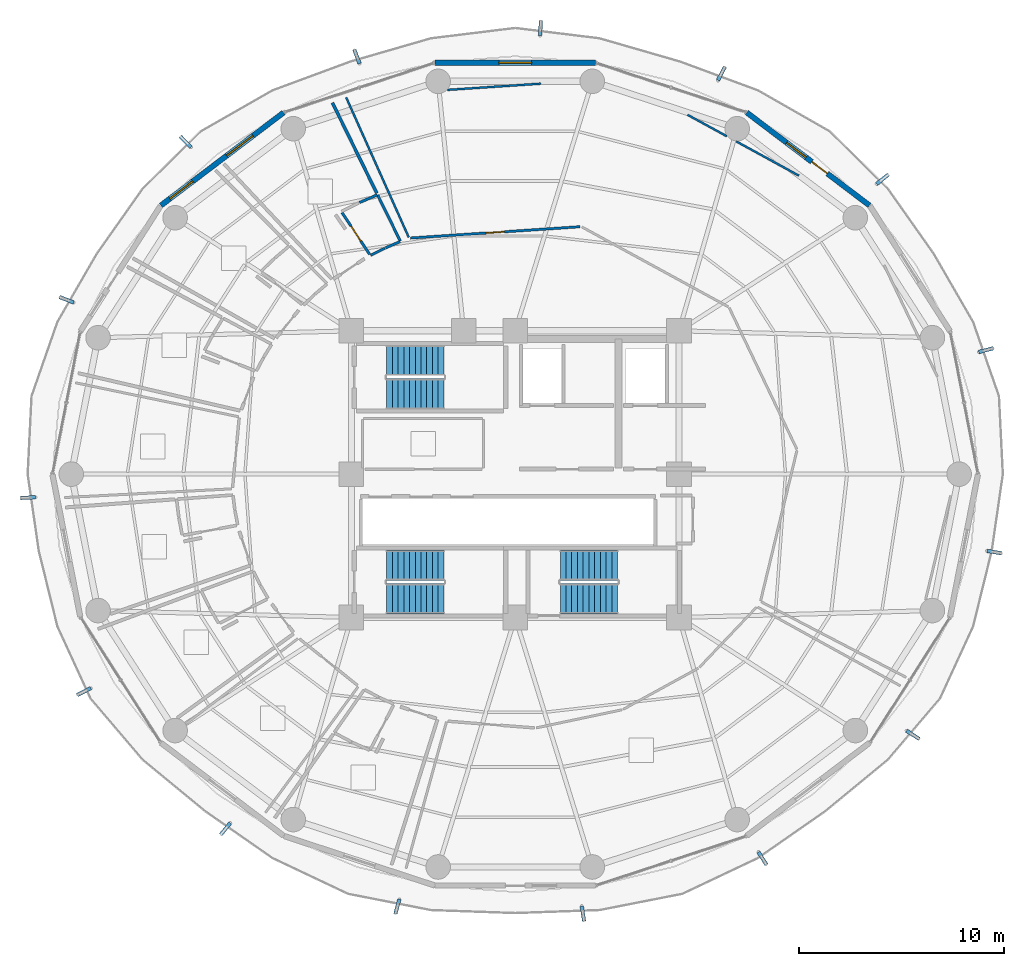
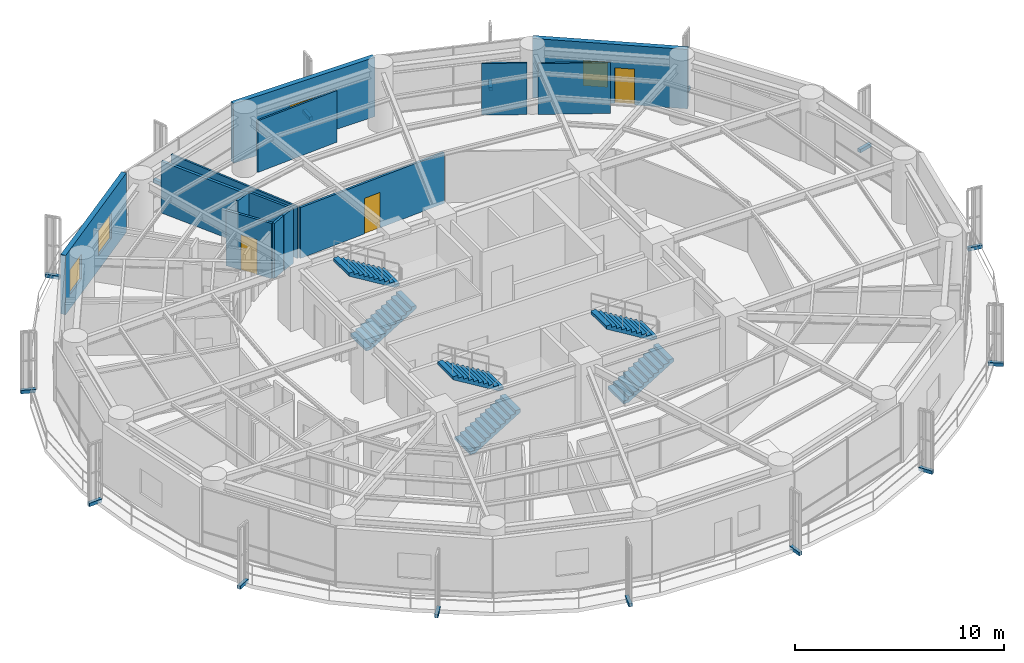
# One storey, part 24 of 27: 15 discrete accessories, 14 walls, 6 stair flights, 4 windows, 3 doors, 7 openings, 3 elements without a shape of their own.
"""IFC4 building model written with IfcOpenShell, lengths in metres."""

from ifc_helpers import new_model, si_unit, direction, frame, frame_2d, origin, origin_2d, place, context, subcontext, project, spatial, polyline, rectangle, outline, extrude, source, transform, mapped, material, layer, layer_set, type_object, element, fill, aggregate, save


model = new_model("IFC4")

# Units and contexts
model_context = context("Model", 3, precision=1e-05, world=origin(), true_north=direction((0.0, 1.0)))
body_context = subcontext(model_context, "Body", "Model", "MODEL_VIEW")
ifc_project = project(units=[si_unit("LENGTHUNIT", "METRE"), si_unit("AREAUNIT", "SQUARE_METRE"), si_unit("VOLUMEUNIT", "CUBIC_METRE"), si_unit("PLANEANGLEUNIT", "RADIAN"), si_unit("MASSUNIT", "GRAM", prefix="KILO")], contexts=[model_context])

# Site, building, storey
site_placement = place(None, origin())
site = spatial("IfcSite", under=ifc_project, at=site_placement, CompositionType="ELEMENT")
building_placement = place(site_placement, origin())
building = spatial("IfcBuilding", under=site, at=building_placement, Name="Kelanora Arch Commons", CompositionType="ELEMENT")
storey_placement = place(building_placement, frame((0.0, 0.0, 143.10009765625)))
storey = spatial("IfcBuildingStorey", under=building, at=storey_placement, Name="L36", CompositionType="ELEMENT", Elevation=143.10009765625)

# Wall
ifc_material_1 = material(Name="Autoclaved aerated concrete blockwork with fire plaster", Category="masonry")
ifc_layer_1 = layer(ifc_material_1, 0.14990234375)
ifc_layer_set_1 = layer_set([ifc_layer_1], Name="Autoclaved aerated concrete blockwork with fire plaster")
wall_type_1 = type_object("IfcWallType", Name="W-COMP-150", PredefinedType="PARTITIONING", material=ifc_layer_set_1)
wall_1_placement = place(storey_placement, frame((65.071533203125, 76.13916015625, 0.0), z_axis=(0.0, 0.0, 1.0), x_axis=(0.440581721025, -0.897712508044, 0.0)))
element("IfcWall", 1, at=wall_1_placement, inside=storey, type_object=wall_type_1, Name="Cluster Bedroom L36-01 Enclosure Partition 5", PredefinedType="PARTITIONING", context=body_context, shape_type="SweptSolid", body=[
    extrude(rectangle(XDim=4.92724609375, YDim=0.14990234375, at=frame_2d((2.463623046875, 0.0))), origin(), (0.0, 0.0, 1.0), 3.02490234375),
])

# Wall, openings, door, window
ifc_material_2 = material(Name="Precast concrete C40/50 with terracotta rainscreen", Category="masonry")
ifc_layer_2 = layer(ifc_material_2, 0.260009765625)
ifc_layer_set_2 = layer_set([ifc_layer_2], Name="Precast concrete C40/50 with terracotta rainscreen")
wall_type_2 = type_object("IfcWallType", Name="W-EXT-TC", PredefinedType="SOLIDWALL", material=ifc_layer_set_2)
wall_2_placement = place(storey_placement, frame((91.300537109375, 71.1220703125, 0.0), z_axis=(0.0, 0.0, 1.0), x_axis=(-0.797163719609, 0.603763202042, 0.0)))
wall_2 = element("IfcWall", 2, at=wall_2_placement, inside=storey, type_object=wall_type_2, Name="Terracotta Exterior Wall L36-B02", PredefinedType="SOLIDWALL", context=body_context, shape_type="SweptSolid", body=[
    extrude(rectangle(XDim=7.51220703125, YDim=0.260009765625, at=frame_2d((3.756103515625, 0.0))), origin(), (0.0, 0.0, 1.0), 3.474853515625),
])
opening_1_placement = place(wall_2_placement, frame((2.5810546875, 0.0, 0.0)))
opening_1 = element("IfcOpeningElement", 3, at=opening_1_placement, cuts=wall_2, Name="Opening DB-01", PredefinedType="OPENING", context=body_context, shape_type="SweptSolid", body=[
    extrude(rectangle(XDim=0.949951171875, YDim=2.10009765625, at=frame_2d((0.47509765625, 1.050048828125))), frame((0.0, 0.14013671875, 0.0), z_axis=(0.0, -1.0, 0.0), x_axis=(1.0, 0.0, 0.0)), (0.0, 0.0, 1.0), 0.280029296875),
])
opening_2_placement = place(wall_2_placement, frame((3.881103515625, 0.0, 0.85009765625)))
opening_2 = element("IfcOpeningElement", 4, at=opening_2_placement, cuts=wall_2, Name="Opening WN-02", PredefinedType="OPENING", context=body_context, shape_type="SweptSolid", body=[
    extrude(rectangle(XDim=1.199951171875, YDim=1.449951171875, at=frame_2d((0.60009765625, 0.72509765625))), frame((0.0, 0.14013671875, 0.0), z_axis=(0.0, -1.0, 0.0), x_axis=(1.0, 0.0, 0.0)), (0.0, 0.0, 1.0), 0.280029296875),
])
ifc_material_3 = material(Name="Terracotta-aluminium thermally broken glazed balcony door", Category="masonry")
door_type_1 = type_object("IfcDoorType", Name="D-BAL-10", OperationType="NOTDEFINED", PredefinedType="DOOR", material=ifc_material_3)
door_1_placement = place(opening_1_placement, frame((0.949951171875, 0.0, 0.0), z_axis=(0.0, 0.0, 1.0), x_axis=(-1.0, 0.0, 0.0)))
door_1 = element("IfcDoor", 5, at=door_1_placement, inside=storey, type_object=door_type_1, Name="Wave Balcony Door L36-B02", OperationType="SINGLE_SWING_LEFT", OverallHeight=2.10009765625, OverallWidth=0.949951171875, PredefinedType="DOOR", context=body_context, shape_type="SweptSolid", body=[
    extrude(rectangle(XDim=0.949951171875, YDim=2.10009765625, at=frame_2d((0.47509765625, 1.050048828125))), frame((0.0, 0.02490234375, 0.0), z_axis=(0.0, -1.0, 0.0), x_axis=(1.0, 0.0, 0.0)), (0.0, 0.0, 1.0), 0.050048828125),
])
fill(opening_1, door_1)
ifc_material_4 = material(Name="Terracotta-anodised aluminium frame with operable awning sash", Category="masonry")
window_type_1 = type_object("IfcWindowType", Name="WIN-CL-12", PartitioningType="SINGLE_PANEL", PredefinedType="WINDOW", material=ifc_material_4)
window_1_placement = place(opening_2_placement, origin())
window_1 = element("IfcWindow", 6, at=window_1_placement, inside=storey, type_object=window_type_1, Name="Co-Living Operable Window L36-B02", OverallHeight=1.449951171875, OverallWidth=1.199951171875, PartitioningType="SINGLE_PANEL", PredefinedType="WINDOW", context=body_context, shape_type="SweptSolid", body=[
    extrude(rectangle(XDim=1.199951171875, YDim=1.449951171875, at=frame_2d((0.60009765625, 0.72509765625))), frame((0.0, 0.030029296875, 0.0), z_axis=(0.0, -1.0, 0.0), x_axis=(1.0, 0.0, 0.0)), (0.0, 0.0, 1.0), 0.06005859375),
])
fill(opening_2, window_1)

# Wall, opening, window
wall_3_placement = place(storey_placement, frame((77.909423828125, 78.090087890625, 0.0), z_axis=(0.0, 0.0, 1.0), x_axis=(-1.0, 0.0, 0.0)))
wall_3 = element("IfcWall", 7, at=wall_3_placement, inside=storey, type_object=wall_type_2, Name="Terracotta Exterior Wall L36-B04", PredefinedType="SOLIDWALL", context=body_context, shape_type="SweptSolid", body=[
    extrude(rectangle(XDim=7.81884765625, YDim=0.260009765625, at=frame_2d((3.909423828125, 0.0))), origin(), (0.0, 0.0, 1.0), 3.474853515625),
])
opening_3_placement = place(wall_3_placement, frame((3.10888671875, 0.0, 0.85009765625)))
opening_3 = element("IfcOpeningElement", 8, at=opening_3_placement, cuts=wall_3, Name="Opening WN-01", PredefinedType="OPENING", context=body_context, shape_type="SweptSolid", body=[
    extrude(rectangle(XDim=1.60009765625, YDim=1.449951171875, at=frame_2d((0.800048828125, 0.72509765625))), frame((0.0, 0.14013671875, 0.0), z_axis=(0.0, -1.0, 0.0), x_axis=(1.0, 0.0, 0.0)), (0.0, 0.0, 1.0), 0.280029296875),
])
ifc_material_5 = material(Name="Terracotta-anodised aluminium frame with operable low-E glazing", Category="masonry")
window_type_2 = type_object("IfcWindowType", Name="WIN-CL-18", PartitioningType="DOUBLE_PANEL_VERTICAL", PredefinedType="WINDOW", material=ifc_material_5)
window_2_placement = place(opening_3_placement, origin())
window_2 = element("IfcWindow", 9, at=window_2_placement, inside=storey, type_object=window_type_2, Name="Co-Living Operable Window L36-B04", OverallHeight=1.449951171875, OverallWidth=1.60009765625, PartitioningType="SINGLE_PANEL", PredefinedType="WINDOW", context=body_context, shape_type="SweptSolid", body=[
    extrude(rectangle(XDim=1.60009765625, YDim=1.449951171875, at=frame_2d((0.800048828125, 0.72509765625))), frame((0.0, 0.030029296875, 0.0), z_axis=(0.0, -1.0, 0.0), x_axis=(1.0, 0.0, 0.0)), (0.0, 0.0, 1.0), 0.06005859375),
])
fill(opening_3, window_2)

# Wall, openings, windows
wall_4_placement = place(storey_placement, frame((62.68798828125, 75.65771484375, 0.0), z_axis=(0.0, 0.0, 1.0), x_axis=(-0.797163719609, -0.603763202042, 0.0)))
wall_4 = element("IfcWall", 10, at=wall_4_placement, inside=storey, type_object=wall_type_2, Name="Terracotta Exterior Wall L36-B06", PredefinedType="SOLIDWALL", context=body_context, shape_type="SweptSolid", body=[
    extrude(rectangle(XDim=7.51220703125, YDim=0.260009765625, at=frame_2d((3.756103515625, 0.0))), origin(), (0.0, 0.0, 1.0), 3.474853515625),
])
opening_4_placement = place(wall_4_placement, frame((1.8759765625, 0.0, 0.85009765625)))
opening_4 = element("IfcOpeningElement", 11, at=opening_4_placement, cuts=wall_4, Name="Opening WN-01", PredefinedType="OPENING", context=body_context, shape_type="SweptSolid", body=[
    extrude(rectangle(XDim=1.60009765625, YDim=1.449951171875, at=frame_2d((0.800048828125, 0.72509765625))), frame((0.0, 0.14013671875, 0.0), z_axis=(0.0, -1.0, 0.0), x_axis=(1.0, 0.0, 0.0)), (0.0, 0.0, 1.0), 0.280029296875),
])
opening_5_placement = place(wall_4_placement, frame((5.55810546875, 0.0, 0.85009765625)))
opening_5 = element("IfcOpeningElement", 12, at=opening_5_placement, cuts=wall_4, Name="Opening WN-04", PredefinedType="OPENING", context=body_context, shape_type="SweptSolid", body=[
    extrude(rectangle(XDim=1.39990234375, YDim=1.449951171875, at=frame_2d((0.699951171875, 0.72509765625))), frame((0.0, 0.14013671875, 0.0), z_axis=(0.0, -1.0, 0.0), x_axis=(1.0, 0.0, 0.0)), (0.0, 0.0, 1.0), 0.280029296875),
])
window_type_3 = type_object("IfcWindowType", Name="WIN-CL-14", PartitioningType="DOUBLE_PANEL_VERTICAL", PredefinedType="WINDOW", material=ifc_material_5)
window_3_placement = place(opening_5_placement, origin())
window_3 = element("IfcWindow", 13, at=window_3_placement, inside=storey, type_object=window_type_3, Name="Co-Living Operable Window L36-B06-X2", OverallHeight=1.449951171875, OverallWidth=1.39990234375, PartitioningType="SINGLE_PANEL", PredefinedType="WINDOW", context=body_context, shape_type="SweptSolid", body=[
    extrude(rectangle(XDim=1.39990234375, YDim=1.449951171875, at=frame_2d((0.699951171875, 0.72509765625))), frame((0.0, 0.030029296875, 0.0), z_axis=(0.0, -1.0, 0.0), x_axis=(1.0, 0.0, 0.0)), (0.0, 0.0, 1.0), 0.06005859375),
])
fill(opening_5, window_3)
window_4_placement = place(opening_4_placement, origin())
window_4 = element("IfcWindow", 14, at=window_4_placement, inside=storey, type_object=window_type_2, Name="Co-Living Operable Window L36-B06", OverallHeight=1.449951171875, OverallWidth=1.60009765625, PartitioningType="SINGLE_PANEL", PredefinedType="WINDOW", context=body_context, shape_type="SweptSolid", body=[
    extrude(rectangle(XDim=1.60009765625, YDim=1.449951171875, at=frame_2d((0.800048828125, 0.72509765625))), frame((0.0, 0.030029296875, 0.0), z_axis=(0.0, -1.0, 0.0), x_axis=(1.0, 0.0, 0.0)), (0.0, 0.0, 1.0), 0.06005859375),
])
fill(opening_4, window_4)

# Walls
ifc_material_6 = material(Name="Lightweight fire-rated acoustic stud partition")
ifc_layer_3 = layer(ifc_material_6, 0.10009765625)
ifc_layer_set_3 = layer_set([ifc_layer_3], Name="Lightweight fire-rated acoustic stud partition")
wall_type_3 = type_object("IfcWallType", Name="W-PART-100", PredefinedType="PARTITIONING", material=ifc_layer_set_3)
wall_5_placement = place(storey_placement, frame((68.802734375, 69.5615234375, 0.0), z_axis=(0.0, 0.0, 1.0), x_axis=(-0.408373210504, 0.912815052978, 0.0)))
element("IfcWall", 15, at=wall_5_placement, inside=storey, type_object=wall_type_3, Name="North-East Quiet Study Commons L36 Enclosure Partition 5", PredefinedType="PARTITIONING", context=body_context, shape_type="SweptSolid", body=[
    extrude(rectangle(XDim=7.48681640625, YDim=0.10009765625, at=frame_2d((3.743408203125, 0.0))), origin(), (0.0, 0.0, 1.0), 3.02490234375),
])
wall_6_placement = place(storey_placement, frame((70.69873046875, 76.764892578125, 0.0), z_axis=(0.0, 0.0, 1.0), x_axis=(0.997765691497, 0.066810365006, 0.0)))
element("IfcWall", 16, at=wall_6_placement, inside=storey, type_object=wall_type_3, Name="North-East Quiet Study Commons L36 Enclosure Partition 6", PredefinedType="PARTITIONING", context=body_context, shape_type="SweptSolid", body=[
    extrude(rectangle(XDim=4.560546875, YDim=0.10009765625, at=frame_2d((2.2802734375, 0.0))), origin(), (0.0, 0.0, 1.0), 3.02490234375),
])
wall_7_placement = place(storey_placement, frame((82.41845703125, 75.54736328125, 0.0), z_axis=(0.0, 0.0, 1.0), x_axis=(0.877506976323, -0.479563871142, 0.0)))
element("IfcWall", 17, at=wall_7_placement, inside=storey, type_object=wall_type_3, Name="North-East Quiet Study Commons L36 Enclosure Partition 7", PredefinedType="PARTITIONING", context=body_context, shape_type="SweptSolid", body=[
    extrude(rectangle(XDim=2.1865234375, YDim=0.10009765625, at=frame_2d((1.09326171875, 0.0))), origin(), (0.0, 0.0, 1.0), 3.02490234375),
])
wall_8_placement = place(storey_placement, frame((84.799072265625, 74.24658203125, 0.0), z_axis=(0.0, 0.0, 1.0), x_axis=(0.877555375774, -0.479475299104, 0.0)))
element("IfcWall", 18, at=wall_8_placement, inside=storey, type_object=wall_type_3, Name="North-East Quiet Study Commons L36 Enclosure Partition 7", PredefinedType="PARTITIONING", context=body_context, shape_type="SweptSolid", body=[
    extrude(rectangle(XDim=3.4853515625, YDim=0.10009765625, at=frame_2d((1.74267578125, 0.0))), origin(), (0.0, 0.0, 1.0), 2.974853515625),
])

# Wall, opening, door
ifc_material_7 = material(Name="Acoustic twin-stud fire-rated gypsum partition")
ifc_layer_4 = layer(ifc_material_7, 0.1201171875)
ifc_layer_set_4 = layer_set([ifc_layer_4], Name="Acoustic twin-stud fire-rated gypsum partition")
wall_type_4 = type_object("IfcWallType", Name="W-PART-120", PredefinedType="PARTITIONING", material=ifc_layer_set_4)
wall_9_placement = place(storey_placement, frame((77.169189453125, 70.0830078125, 0.0), z_axis=(0.0, 0.0, 1.0), x_axis=(-0.997775005058, -0.066671127793, 0.0)))
wall_9 = element("IfcWall", 19, at=wall_9_placement, inside=storey, type_object=wall_type_4, Name="North-East Quiet Study Commons L36 Entry Partition", PredefinedType="PARTITIONING", context=body_context, shape_type="SweptSolid", body=[
    extrude(rectangle(XDim=8.308837890625, YDim=0.1201171875, at=frame_2d((4.154296875, 0.0))), origin(), (0.0, 0.0, 1.0), 2.974853515625),
])
opening_6_placement = place(wall_9_placement, frame((3.7041015625, 0.0, 0.0)))
opening_6 = element("IfcOpeningElement", 20, at=opening_6_placement, cuts=wall_9, Name="Opening D-RM1", PredefinedType="OPENING", context=body_context, shape_type="SweptSolid", body=[
    extrude(rectangle(XDim=0.89990234375, YDim=2.080078125, at=frame_2d((0.449951171875, 1.0400390625))), frame((0.0, 0.070068359375, 0.0), z_axis=(0.0, -1.0, 0.0), x_axis=(1.0, 0.0, 0.0)), (0.0, 0.0, 1.0), 0.14013671875),
])
ifc_material_8 = material(Name="Acoustic fire-rated timber study and lounge door", Category="wood")
door_type_2 = type_object("IfcDoorType", Name="D-ROOM-90", OperationType="NOTDEFINED", PredefinedType="DOOR", material=ifc_material_8)
door_2_placement = place(opening_6_placement, origin())
door_2 = element("IfcDoor", 21, at=door_2_placement, inside=storey, type_object=door_type_2, Name="North-East Quiet Study Commons L36 Door", OperationType="SINGLE_SWING_LEFT", OverallHeight=2.080078125, OverallWidth=0.89990234375, PredefinedType="DOOR", context=body_context, shape_type="SweptSolid", body=[
    extrude(rectangle(XDim=0.89990234375, YDim=2.080078125, at=frame_2d((0.449951171875, 1.0400390625))), frame((0.0, 0.02490234375, 0.0), z_axis=(0.0, -1.0, 0.0), x_axis=(1.0, 0.0, 0.0)), (0.0, 0.0, 1.0), 0.050048828125),
])
fill(opening_6, door_2)

ifc_material_9 = material(Name="Moisture-resistant fire-rated cement-board plumbing wall")
ifc_layer_5 = layer(ifc_material_9, 0.1298828125)
ifc_layer_set_5 = layer_set([ifc_layer_5], Name="Moisture-resistant fire-rated cement-board plumbing wall")
wall_type_5 = type_object("IfcWallType", Name="W-WET-120", PredefinedType="PLUMBINGWALL", material=ifc_layer_set_5)
wall_10_placement = place(storey_placement, frame((66.890869140625, 68.72998046875, 0.0), z_axis=(0.0, 0.0, 1.0), x_axis=(-0.550825526042, 0.834620416633, 0.0)))
wall_10 = element("IfcWall", 22, at=wall_10_placement, inside=storey, type_object=wall_type_5, Name="En-Suite Shower WC L36-01 Entry Partition", PredefinedType="PLUMBINGWALL", context=body_context, shape_type="SweptSolid", body=[
    extrude(rectangle(XDim=2.446533203125, YDim=0.1298828125, at=frame_2d((1.22314453125, 0.0))), origin(), (0.0, 0.0, 1.0), 3.23486328125),
])
opening_7_placement = place(wall_10_placement, frame((0.79296875, 0.0, 0.0)))
opening_7 = element("IfcOpeningElement", 23, at=opening_7_placement, cuts=wall_10, Name="Opening D-BT1", PredefinedType="OPENING", context=body_context, shape_type="SweptSolid", body=[
    extrude(rectangle(XDim=0.860107421875, YDim=2.050048828125, at=frame_2d((0.43017578125, 1.02490234375))), frame((0.0, 0.074951171875, 0.0), z_axis=(0.0, -1.0, 0.0), x_axis=(1.0, 0.0, 0.0)), (0.0, 0.0, 1.0), 0.14990234375),
])
ifc_material_10 = material(Name="Moisture-sealed fire-rated accessible bathroom door")
door_type_3 = type_object("IfcDoorType", Name="D-BATH-85", OperationType="NOTDEFINED", PredefinedType="DOOR", material=ifc_material_10)
door_3_placement = place(opening_7_placement, origin())
door_3 = element("IfcDoor", 24, at=door_3_placement, inside=storey, type_object=door_type_3, Name="En-Suite Shower WC L36-01 Door", OperationType="SINGLE_SWING_RIGHT", OverallHeight=2.050048828125, OverallWidth=0.860107421875, PredefinedType="DOOR", context=body_context, shape_type="SweptSolid", body=[
    extrude(rectangle(XDim=0.860107421875, YDim=2.050048828125, at=frame_2d((0.43017578125, 1.02490234375))), frame((0.0, 0.02490234375, 0.0), z_axis=(0.0, -1.0, 0.0), x_axis=(1.0, 0.0, 0.0)), (0.0, 0.0, 1.0), 0.050048828125),
])
fill(opening_7, door_3)

# Walls
wall_11_placement = place(storey_placement, frame((68.378662109375, 69.356201171875, 0.0), z_axis=(0.0, 0.0, 1.0), x_axis=(-0.918393228723, -0.395668898746, 0.0)))
element("IfcWall", 25, at=wall_11_placement, inside=storey, type_object=wall_type_5, Name="En-Suite Shower WC L36-01 Enclosure Partition 1", PredefinedType="PLUMBINGWALL", context=body_context, shape_type="SweptSolid", body=[
    extrude(rectangle(XDim=0.7744140625, YDim=0.1298828125, at=frame_2d((0.38720703125, 0.0))), origin(), (0.0, 0.0, 1.0), 3.23486328125),
])
wall_12_placement = place(storey_placement, frame((67.631103515625, 69.033203125, 0.0), z_axis=(0.0, 0.0, 1.0), x_axis=(-0.894617251975, -0.446833271443, 0.0)))
element("IfcWall", 26, at=wall_12_placement, inside=storey, type_object=wall_type_5, Name="En-Suite Shower WC L36-01 Enclosure Partition 2", PredefinedType="PLUMBINGWALL", context=body_context, shape_type="SweptSolid", body=[
    extrude(rectangle(XDim=0.7705078125, YDim=0.1298828125, at=frame_2d((0.38525390625, 0.0))), origin(), (0.0, 0.0, 1.0), 3.23486328125),
])
wall_13_placement = place(storey_placement, frame((66.3974609375, 71.264892578125, 0.0), z_axis=(0.0, 0.0, 1.0), x_axis=(0.918726840833, 0.394893646357, 0.0)))
element("IfcWall", 27, at=wall_13_placement, inside=storey, type_object=wall_type_5, Name="En-Suite Shower WC L36-01 Enclosure Partition 5", PredefinedType="PLUMBINGWALL", context=body_context, shape_type="SweptSolid", body=[
    extrude(rectangle(XDim=0.937255859375, YDim=0.1298828125, at=frame_2d((0.46875, 0.0))), origin(), (0.0, 0.0, 1.0), 3.1748046875),
])
wall_14_placement = place(storey_placement, frame((67.285888671875, 71.625, 0.0), z_axis=(0.0, 0.0, 1.0), x_axis=(0.441029506653, -0.897492604015, 0.0)))
element("IfcWall", 28, at=wall_14_placement, inside=storey, type_object=wall_type_5, Name="En-Suite Shower WC L36-01 Enclosure Partition 6", PredefinedType="PLUMBINGWALL", context=body_context, shape_type="SweptSolid", body=[
    extrude(rectangle(XDim=2.499267578125, YDim=0.1298828125, at=frame_2d((1.24951171875, 0.0))), origin(), (0.0, 0.0, 1.0), 3.1748046875),
])

# Stair, stair flights
ifc_material_11 = material(Name="Concrete C40/50", Category="concrete")
stair_type = type_object("IfcStairType", Name="STR-DL-375", PredefinedType="HALF_TURN_STAIR", material=ifc_material_11)
stair_1_placement = place(storey_placement, origin())
stair_1 = element("IfcStair", 29, at=stair_1_placement, inside=storey, type_object=stair_type, Name="L36 ST-T1", PredefinedType="HALF_TURN_STAIR")
stair_flight_type = type_object("IfcStairFlightType", Name="FLT-DL-375", PredefinedType="STRAIGHT", material=ifc_material_11)
stair_flight_1_placement = place(storey_placement, frame((67.719970703125, 61.919921875, 0.0), z_axis=(0.0, 0.0, 1.0), x_axis=(1.0, 0.0, 0.0)))
stair_flight_1 = element("IfcStairFlight", 30, at=stair_flight_1_placement, type_object=stair_flight_type, Name="ST-T1 flight 1", NumberOfRisers=11, NumberOfTreads=10, PredefinedType="STRAIGHT", RiserHeight=0.170454545, TreadLength=0.28, context=body_context, shape_type="SweptSolid", body=[
    extrude(outline(polyline([(0.0, 0.0), (0.0, 0.17041015625), (0.280029296875, 0.17041015625), (0.280029296875, 0.3408203125), (0.56005859375, 0.3408203125), (0.56005859375, 0.511474609375), (0.840087890625, 0.511474609375), (0.840087890625, 0.681884765625), (1.1201171875, 0.681884765625), (1.1201171875, 0.852294921875), (1.39990234375, 0.852294921875), (1.39990234375, 1.022705078125), (1.679931640625, 1.022705078125), (1.679931640625, 1.193115234375), (1.9599609375, 1.193115234375), (1.9599609375, 1.363525390625), (2.239990234375, 1.363525390625), (2.239990234375, 1.5341796875), (2.52001953125, 1.5341796875), (2.52001953125, 1.70458984375), (2.800048828125, 1.70458984375), (2.800048828125, 1.875), (2.800048828125, 1.529052734375), (0.288330078125, 0.0), (0.0, 0.0)])), frame((0.0, 0.739990234375, 0.0), z_axis=(0.0, -1.0, 0.0), x_axis=(1.0, 0.0, 0.0)), (0.0, 0.0, 1.0), 1.47998046875),
])
stair_flight_2_placement = place(storey_placement, frame((70.52001953125, 63.550048828125, 1.875), z_axis=(0.0, 0.0, 1.0), x_axis=(-1.0, 0.0, 0.0)))
stair_flight_2 = element("IfcStairFlight", 31, at=stair_flight_2_placement, type_object=stair_flight_type, Name="ST-T1 flight 2", NumberOfRisers=11, NumberOfTreads=10, PredefinedType="STRAIGHT", RiserHeight=0.170454545, TreadLength=0.28, context=body_context, shape_type="SweptSolid", body=[
    extrude(outline(polyline([(0.0, 0.0), (0.0, 0.17041015625), (0.280029296875, 0.17041015625), (0.280029296875, 0.3408203125), (0.56005859375, 0.3408203125), (0.56005859375, 0.511474609375), (0.840087890625, 0.511474609375), (0.840087890625, 0.681884765625), (1.1201171875, 0.681884765625), (1.1201171875, 0.852294921875), (1.39990234375, 0.852294921875), (1.39990234375, 1.022705078125), (1.679931640625, 1.022705078125), (1.679931640625, 1.193115234375), (1.9599609375, 1.193115234375), (1.9599609375, 1.363525390625), (2.239990234375, 1.363525390625), (2.239990234375, 1.5341796875), (2.52001953125, 1.5341796875), (2.52001953125, 1.70458984375), (2.800048828125, 1.70458984375), (2.800048828125, 1.875), (2.800048828125, 1.529052734375), (0.288330078125, 0.0), (0.0, 0.0)])), frame((0.0, 0.739990234375, 0.0), z_axis=(0.0, -1.0, 0.0), x_axis=(1.0, 0.0, 0.0)), (0.0, 0.0, 1.0), 1.47998046875),
])
aggregate(stair_1, [stair_flight_1, stair_flight_2])

stair_2_placement = place(storey_placement, origin())
stair_2 = element("IfcStair", 32, at=stair_2_placement, inside=storey, type_object=stair_type, Name="L36 ST-T2", PredefinedType="HALF_TURN_STAIR")
stair_flight_3_placement = place(storey_placement, frame((76.199951171875, 51.919921875, 0.0), z_axis=(0.0, 0.0, 1.0), x_axis=(1.0, 0.0, 0.0)))
stair_flight_3 = element("IfcStairFlight", 33, at=stair_flight_3_placement, type_object=stair_flight_type, Name="ST-T2 flight 1", NumberOfRisers=11, NumberOfTreads=10, PredefinedType="STRAIGHT", RiserHeight=0.170454545, TreadLength=0.28, context=body_context, shape_type="SweptSolid", body=[
    extrude(outline(polyline([(0.0, 0.0), (0.0, 0.17041015625), (0.280029296875, 0.17041015625), (0.280029296875, 0.3408203125), (0.56005859375, 0.3408203125), (0.56005859375, 0.511474609375), (0.840087890625, 0.511474609375), (0.840087890625, 0.681884765625), (1.1201171875, 0.681884765625), (1.1201171875, 0.852294921875), (1.39990234375, 0.852294921875), (1.39990234375, 1.022705078125), (1.679931640625, 1.022705078125), (1.679931640625, 1.193115234375), (1.9599609375, 1.193115234375), (1.9599609375, 1.363525390625), (2.239990234375, 1.363525390625), (2.239990234375, 1.5341796875), (2.52001953125, 1.5341796875), (2.52001953125, 1.70458984375), (2.800048828125, 1.70458984375), (2.800048828125, 1.875), (2.800048828125, 1.529052734375), (0.288330078125, 0.0), (0.0, 0.0)])), frame((0.0, 0.739990234375, 0.0), z_axis=(0.0, -1.0, 0.0), x_axis=(1.0, 0.0, 0.0)), (0.0, 0.0, 1.0), 1.47998046875),
])
stair_flight_4_placement = place(storey_placement, frame((79.0, 53.550048828125, 1.875), z_axis=(0.0, 0.0, 1.0), x_axis=(-1.0, 0.0, 0.0)))
stair_flight_4 = element("IfcStairFlight", 34, at=stair_flight_4_placement, type_object=stair_flight_type, Name="ST-T2 flight 2", NumberOfRisers=11, NumberOfTreads=10, PredefinedType="STRAIGHT", RiserHeight=0.170454545, TreadLength=0.28, context=body_context, shape_type="SweptSolid", body=[
    extrude(outline(polyline([(0.0, 0.0), (0.0, 0.17041015625), (0.280029296875, 0.17041015625), (0.280029296875, 0.3408203125), (0.56005859375, 0.3408203125), (0.56005859375, 0.511474609375), (0.840087890625, 0.511474609375), (0.840087890625, 0.681884765625), (1.1201171875, 0.681884765625), (1.1201171875, 0.852294921875), (1.39990234375, 0.852294921875), (1.39990234375, 1.022705078125), (1.679931640625, 1.022705078125), (1.679931640625, 1.193115234375), (1.9599609375, 1.193115234375), (1.9599609375, 1.363525390625), (2.239990234375, 1.363525390625), (2.239990234375, 1.5341796875), (2.52001953125, 1.5341796875), (2.52001953125, 1.70458984375), (2.800048828125, 1.70458984375), (2.800048828125, 1.875), (2.800048828125, 1.529052734375), (0.288330078125, 0.0), (0.0, 0.0)])), frame((0.0, 0.739990234375, 0.0), z_axis=(0.0, -1.0, 0.0), x_axis=(1.0, 0.0, 0.0)), (0.0, 0.0, 1.0), 1.47998046875),
])
aggregate(stair_2, [stair_flight_3, stair_flight_4])

stair_3_placement = place(storey_placement, origin())
stair_3 = element("IfcStair", 35, at=stair_3_placement, inside=storey, type_object=stair_type, Name="L36 ST-T3", PredefinedType="HALF_TURN_STAIR")
stair_flight_5_placement = place(storey_placement, frame((67.719970703125, 51.919921875, 0.0), z_axis=(0.0, 0.0, 1.0), x_axis=(1.0, 0.0, 0.0)))
stair_flight_5 = element("IfcStairFlight", 36, at=stair_flight_5_placement, type_object=stair_flight_type, Name="ST-T3 flight 1", NumberOfRisers=11, NumberOfTreads=10, PredefinedType="STRAIGHT", RiserHeight=0.170454545, TreadLength=0.28, context=body_context, shape_type="SweptSolid", body=[
    extrude(outline(polyline([(0.0, 0.0), (0.0, 0.17041015625), (0.280029296875, 0.17041015625), (0.280029296875, 0.3408203125), (0.56005859375, 0.3408203125), (0.56005859375, 0.511474609375), (0.840087890625, 0.511474609375), (0.840087890625, 0.681884765625), (1.1201171875, 0.681884765625), (1.1201171875, 0.852294921875), (1.39990234375, 0.852294921875), (1.39990234375, 1.022705078125), (1.679931640625, 1.022705078125), (1.679931640625, 1.193115234375), (1.9599609375, 1.193115234375), (1.9599609375, 1.363525390625), (2.239990234375, 1.363525390625), (2.239990234375, 1.5341796875), (2.52001953125, 1.5341796875), (2.52001953125, 1.70458984375), (2.800048828125, 1.70458984375), (2.800048828125, 1.875), (2.800048828125, 1.529052734375), (0.288330078125, 0.0), (0.0, 0.0)])), frame((0.0, 0.739990234375, 0.0), z_axis=(0.0, -1.0, 0.0), x_axis=(1.0, 0.0, 0.0)), (0.0, 0.0, 1.0), 1.47998046875),
])
stair_flight_6_placement = place(storey_placement, frame((70.52001953125, 53.550048828125, 1.875), z_axis=(0.0, 0.0, 1.0), x_axis=(-1.0, 0.0, 0.0)))
stair_flight_6 = element("IfcStairFlight", 37, at=stair_flight_6_placement, type_object=stair_flight_type, Name="ST-T3 flight 2", NumberOfRisers=11, NumberOfTreads=10, PredefinedType="STRAIGHT", RiserHeight=0.170454545, TreadLength=0.28, context=body_context, shape_type="SweptSolid", body=[
    extrude(outline(polyline([(0.0, 0.0), (0.0, 0.17041015625), (0.280029296875, 0.17041015625), (0.280029296875, 0.3408203125), (0.56005859375, 0.3408203125), (0.56005859375, 0.511474609375), (0.840087890625, 0.511474609375), (0.840087890625, 0.681884765625), (1.1201171875, 0.681884765625), (1.1201171875, 0.852294921875), (1.39990234375, 0.852294921875), (1.39990234375, 1.022705078125), (1.679931640625, 1.022705078125), (1.679931640625, 1.193115234375), (1.9599609375, 1.193115234375), (1.9599609375, 1.363525390625), (2.239990234375, 1.363525390625), (2.239990234375, 1.5341796875), (2.52001953125, 1.5341796875), (2.52001953125, 1.70458984375), (2.800048828125, 1.70458984375), (2.800048828125, 1.875), (2.800048828125, 1.529052734375), (0.288330078125, 0.0), (0.0, 0.0)])), frame((0.0, 0.739990234375, 0.0), z_axis=(0.0, -1.0, 0.0), x_axis=(1.0, 0.0, 0.0)), (0.0, 0.0, 1.0), 1.47998046875),
])
aggregate(stair_3, [stair_flight_5, stair_flight_6])

# Discrete accessories
ifc_material_12 = material(Name="Stainless steel 316 marine fin bracket", Category="steel")
discrete_accessory_type = type_object("IfcDiscreteAccessoryType", Name="ACC-FIN-BRK", PredefinedType="BRACKET", material=ifc_material_12)
shared_shape = source(origin(), body_context, "Body", "SweptSolid", [
    extrude(rectangle(XDim=0.735107421875, YDim=0.179931640625, at=origin_2d()), origin(), (0.0, 0.0, 1.0), 0.199951171875),
])
for number, where, z_axis, x_axis, name in (
    (38, (96.992919921875, 64.056884765625, -0.16015625), (0.0, 0.0, 1.0), (0.967001487762, 0.254770725683, 0.0), "Sweeping Fin Cantilever Spine Bracket L36-00"),
    (39, (91.937744140625, 72.400634765625, -0.16015625), (0.0, 0.0, 1.0), (0.779775226961, 0.62605957817, 0.0), "Sweeping Fin Cantilever Spine Bracket L36-01"),
    (40, (84.069580078125, 77.557861328125, -0.16015625), (0.0, 0.0, 1.0), (0.457718745382, 0.889097042019, 0.0), "Sweeping Fin Cantilever Spine Bracket L36-02"),
    (41, (75.234130859375, 79.786376953125, -0.16015625), (0.0, 0.0, 1.0), (0.056518534482, 0.998401550109, 0.0), "Sweeping Fin Cantilever Spine Bracket L36-03"),
    (42, (66.270263671875, 78.39404296875, -0.16015625), (0.0, 0.0, 1.0), (-0.354454244484, 0.935073359992, 0.0), "Sweeping Fin Cantilever Spine Bracket L36-04"),
    (43, (57.909912109375, 74.226806640625, -0.16015625), (0.0, 0.0, 1.0), (-0.704138664464, 0.710062491058, 0.0), "Sweeping Fin Cantilever Spine Bracket L36-05"),
    (44, (52.097900390625, 66.513671875, -0.16015625), (0.0, 0.0, 1.0), (-0.932071112458, 0.362275366705, 0.0), "Sweeping Fin Cantilever Spine Bracket L36-06"),
    (45, (50.208251953125, 56.85400390625, -0.16015625), (0.0, 0.0, 1.0), (-0.998839997509, -0.04815245972, 0.0), "Sweeping Fin Cantilever Spine Bracket L36-07"),
    (46, (52.943115234375, 47.3828125, -0.16015625), (0.0, 0.0, 1.0), (-0.892900372813, -0.450254288408, 0.0), "Sweeping Fin Cantilever Spine Bracket L36-08"),
    (47, (59.85009765625, 40.676513671875, -0.16015625), (0.0, 0.0, 1.0), (-0.632570161913, -0.774503060199, 0.0), "Sweeping Fin Cantilever Spine Bracket L36-09"),
    (48, (68.2470703125, 36.88671875, -0.16015625), (0.0, 0.0, 1.0), (-0.262862823299, -0.964833216741, 0.0), "Sweeping Fin Cantilever Spine Bracket L36-10"),
    (49, (77.30615234375, 36.5400390625, -0.16015625), (0.0, 0.0, 1.0), (0.152295885498, -0.988334944875, 0.0), "Sweeping Fin Cantilever Spine Bracket L36-11"),
    (50, (86.07568359375, 39.23193359375, -0.16015625), (0.0, 0.0, 1.0), (0.541121252127, -0.840944582298, 0.0), "Sweeping Fin Cantilever Spine Bracket L36-12"),
    (51, (93.419921875, 45.271484375, -0.16015625), (0.0, 0.0, 1.0), (0.836381838331, -0.548147261701, 0.0), "Sweeping Fin Cantilever Spine Bracket L36-13"),
    (52, (97.402099609375, 54.192138671875, -0.16015625), (0.0, 0.0, 1.0), (0.987024406397, -0.160570299793, 0.0), "Sweeping Fin Cantilever Spine Bracket L36-14"),
):
    element("IfcDiscreteAccessory", number, at=place(storey_placement, frame(where, z_axis=z_axis, x_axis=x_axis)), inside=storey, type_object=discrete_accessory_type, Name=name, PredefinedType="BRACKET", context=body_context, shape_type="MappedRepresentation", body=[
        mapped(shared_shape, transform((0.0, 0.0, 0.0), scale=1.0)),
    ])

save(model, "model.ifc")
